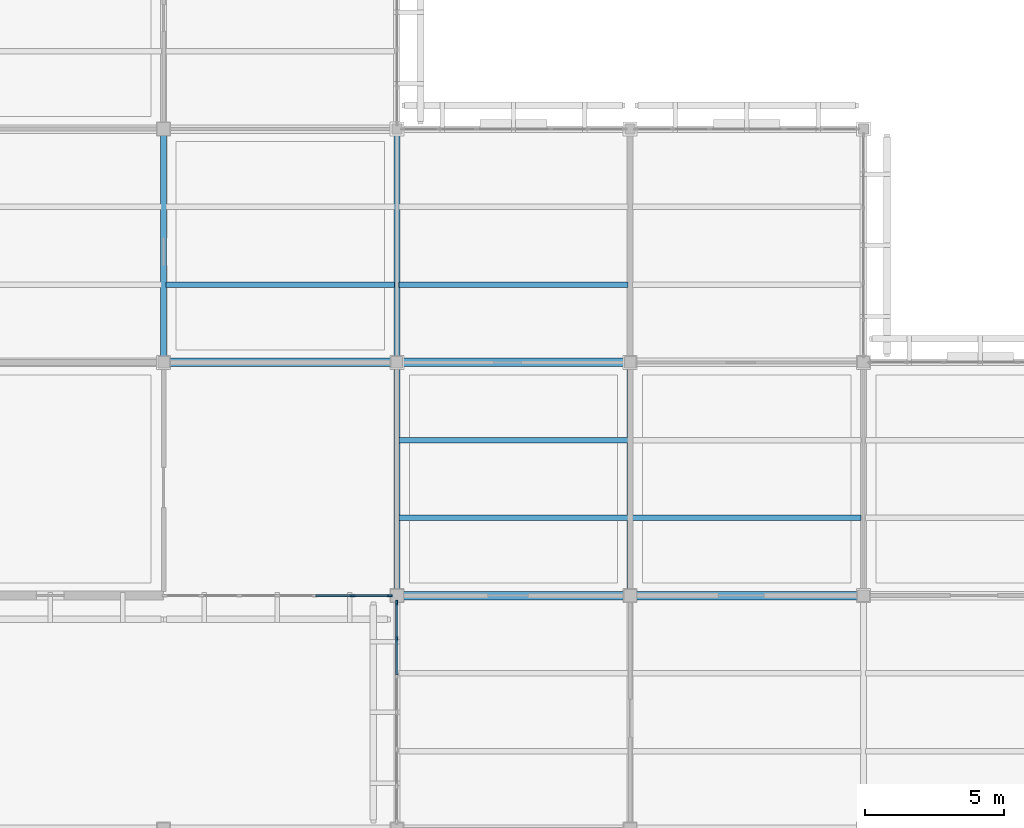
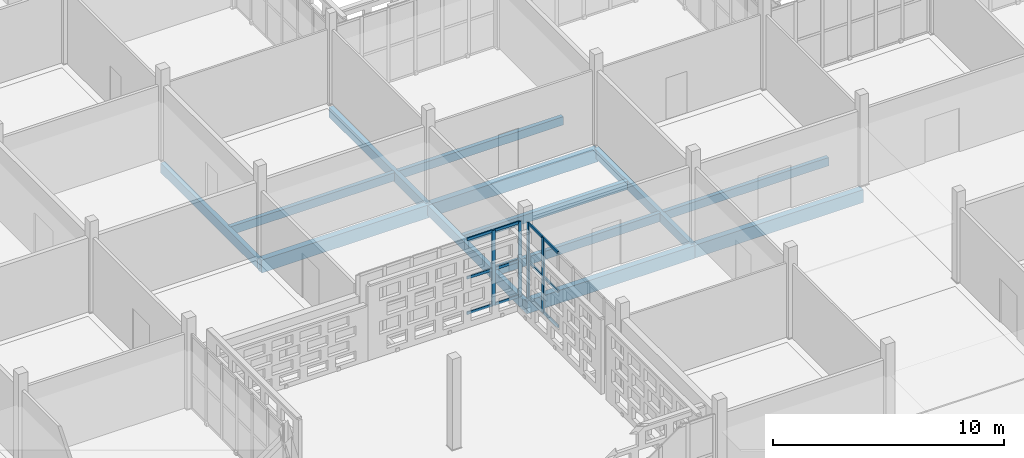
# One storey, part 26 of 203: 16 members, 13 beams, 2 elements without a shape of their own.
"""IFC4 building model written with IfcOpenShell, lengths in metres."""

from ifc_helpers import new_model, si_unit, direction, frame, origin, origin_2d, place, context, subcontext, project, spatial, rectangle, extrude, material, layer, layer_set, material_profile, profile_set, type_object, element, aggregate, save


model = new_model("IFC4")

# Units and contexts
model_context = context("Model", 3, precision=1e-05, world=origin(), true_north=direction((0.0, 1.0)))
body_context = subcontext(model_context, "Body", "Model", "MODEL_VIEW")
ifc_project = project(units=[si_unit("LENGTHUNIT", "METRE"), si_unit("AREAUNIT", "SQUARE_METRE"), si_unit("VOLUMEUNIT", "CUBIC_METRE"), si_unit("PLANEANGLEUNIT", "RADIAN"), si_unit("MASSUNIT", "GRAM", prefix="KILO")], contexts=[model_context])

# Site, building, storey
site_placement = place(None, origin())
site = spatial("IfcSite", under=ifc_project, at=site_placement, CompositionType="ELEMENT")
building_placement = place(site_placement, origin())
building = spatial("IfcBuilding", under=site, at=building_placement, Name="Varnapada Polytechnic", CompositionType="ELEMENT")
storey_placement = place(building_placement, frame((0.0, 0.0, 4.800048828125)))
storey = spatial("IfcBuildingStorey", under=building, at=storey_placement, Name="L01", CompositionType="ELEMENT", Elevation=4.800048828125)

# Beams
ifc_material_1 = material(Name="Glulam GL32h", Category="wood")
ifc_material_profile_1 = material_profile(ifc_material_1, rectangle(XDim=0.199951171875, YDim=0.43994140625, at=origin_2d()), Name="GL 200x440")
ifc_profile_set_1 = profile_set([ifc_material_profile_1], Name="Glulam GL32h")
beam_type_1 = type_object("IfcBeamType", Name="Heavy laboratory glulam joist GJ-03 (GL 200x440)", PredefinedType="JOIST", material=ifc_profile_set_1)
for number, where, z_axis, x_axis, name in (
    (1, (33.679931640625, 44.800048828125, -0.47998046875), (1.0, 0.0, 0.0), (0.0, 1.0, 0.0), "L01 floor joist 5/6.1"),
    (2, (42.080078125, 36.39990234375, -0.47998046875), (1.0, 0.0, 0.0), (0.0, 1.0, 0.0), "L01 floor joist 6/5.1"),
    (3, (42.080078125, 39.199951171875, -0.47998046875), (1.0, 0.0, 0.0), (0.0, 1.0, 0.0), "L01 floor joist 6/5.2"),
    (4, (42.080078125, 44.800048828125, -0.47998046875), (1.0, 0.0, 0.0), (0.0, 1.0, 0.0), "L01 floor joist 6/6.1"),
    (5, (50.47998046875, 36.39990234375, -0.47998046875), (1.0, 0.0, 0.0), (0.0, 1.0, 0.0), "L01 floor joist 7/5.1"),
):
    element("IfcBeam", number, at=place(storey_placement, frame(where, z_axis=z_axis, x_axis=x_axis)), inside=storey, type_object=beam_type_1, Name=name, PredefinedType="JOIST", context=body_context, shape_type="SweptSolid", body=[
        extrude(rectangle(XDim=0.199951171875, YDim=0.43994140625, at=origin_2d()), origin(), (0.0, 0.0, 1.0), 8.239990234375),
    ])
ifc_material_profile_2 = material_profile(ifc_material_1, rectangle(XDim=0.219970703125, YDim=0.52001953125, at=origin_2d()), Name="GL 220x520")
ifc_profile_set_2 = profile_set([ifc_material_profile_2], Name="Glulam GL32h")
beam_type_2 = type_object("IfcBeamType", Name="Laboratory transverse glulam beam GB-12 (GL 220x520)", PredefinedType="BEAM", material=ifc_profile_set_2)
for number, where, z_axis, x_axis, name in (
    (6, (33.60009765625, 42.0, -0.52001953125), (0.0, 1.0, 0.0), (-1.0, 0.0, 0.0), "L01 beam Y 6-7 at X5"),
    (7, (42.0, 33.60009765625, -0.530029296875), (0.0, 1.0, 0.0), (-1.0, 0.0, 0.0), "L01 beam Y 5-6 at X6"),
    (8, (42.0, 42.0, -0.52001953125), (0.0, 1.0, 0.0), (-1.0, 0.0, 0.0), "L01 beam Y 6-7 at X6"),
):
    element("IfcBeam", number, at=place(storey_placement, frame(where, z_axis=z_axis, x_axis=x_axis)), inside=storey, type_object=beam_type_2, Name=name, PredefinedType="BEAM", context=body_context, shape_type="SweptSolid", body=[
        extrude(rectangle(XDim=0.219970703125, YDim=0.52001953125, at=origin_2d()), origin(), (0.0, 0.0, 1.0), 8.39990234375),
    ])

# Curtain wall, members
ifc_material_2 = material(Name="Double low-E laminated glass", Category="glass")
ifc_layer = layer(ifc_material_2, 0.179931640625)
ifc_layer_set = layer_set([ifc_layer], Name="Double low-E laminated glass")
curtain_wall_type = type_object("IfcCurtainWallType", Name="Curtain Wall CW-03", PredefinedType="NOTDEFINED", material=ifc_layer_set)
curtain_wall_1_placement = place(storey_placement, origin())
curtain_wall_1 = element("IfcCurtainWall", 9, at=curtain_wall_1_placement, inside=storey, type_object=curtain_wall_type, Name="L01 unitised curtain wall CW-03 (36)", PredefinedType="NOTDEFINED")
ifc_material_3 = material(Name="Anodised aluminium", Category="aluminium")
ifc_material_profile_3 = material_profile(ifc_material_3, rectangle(XDim=0.06494140625, YDim=0.179931640625, at=origin_2d()), Name="ALU M65x180")
ifc_profile_set_3 = profile_set([ifc_material_profile_3], Name="Anodised aluminium")
member_type_1 = type_object("IfcMemberType", Name="Mullion M-02", PredefinedType="MULLION", material=ifc_profile_set_3)
member_1_placement = place(storey_placement, frame((41.737548828125, 33.60009765625, 0.0), z_axis=(0.0, 0.0, 1.0), x_axis=(0.0, -1.0, 0.0)))
member_1 = element("IfcMember", 10, at=member_1_placement, type_object=member_type_1, Name="CW-03 mullion 1", PredefinedType="MULLION", context=body_context, shape_type="SweptSolid", body=[
    extrude(rectangle(XDim=0.06494140625, YDim=0.179931640625, at=origin_2d()), origin(), (0.0, 0.0, 1.0), 3.9599609375),
])
member_2_placement = place(storey_placement, frame((40.408447265625, 33.60009765625, 0.0), z_axis=(0.0, 0.0, 1.0), x_axis=(0.0, -1.0, 0.0)))
member_2 = element("IfcMember", 11, at=member_2_placement, type_object=member_type_1, Name="CW-03 mullion 2", PredefinedType="MULLION", context=body_context, shape_type="SweptSolid", body=[
    extrude(rectangle(XDim=0.06494140625, YDim=0.179931640625, at=origin_2d()), origin(), (0.0, 0.0, 1.0), 3.9599609375),
])

curtain_wall_2_placement = place(storey_placement, origin())
curtain_wall_2 = element("IfcCurtainWall", 12, at=curtain_wall_2_placement, inside=storey, type_object=curtain_wall_type, Name="L01 unitised curtain wall CW-03 (44)", PredefinedType="NOTDEFINED")
member_3_placement = place(storey_placement, frame((42.0, 32.044921875, 0.0), z_axis=(0.0, 0.0, 1.0), x_axis=(-1.0, 0.0, 0.0)))
member_3 = element("IfcMember", 13, at=member_3_placement, type_object=member_type_1, Name="CW-03 mullion 6", PredefinedType="MULLION", context=body_context, shape_type="SweptSolid", body=[
    extrude(rectangle(XDim=0.06494140625, YDim=0.179931640625, at=origin_2d()), origin(), (0.0, 0.0, 1.0), 3.9599609375),
])
member_4_placement = place(storey_placement, frame((42.0, 33.33740234375, 0.0), z_axis=(0.0, 0.0, 1.0), x_axis=(-1.0, 0.0, 0.0)))
member_4 = element("IfcMember", 14, at=member_4_placement, type_object=member_type_1, Name="CW-03 mullion 7", PredefinedType="MULLION", context=body_context, shape_type="SweptSolid", body=[
    extrude(rectangle(XDim=0.06494140625, YDim=0.179931640625, at=origin_2d()), origin(), (0.0, 0.0, 1.0), 3.9599609375),
])

# Member
ifc_material_profile_4 = material_profile(ifc_material_3, rectangle(XDim=0.06494140625, YDim=0.139892578125, at=origin_2d()), Name="ALU T65x140")
ifc_profile_set_4 = profile_set([ifc_material_profile_4], Name="Anodised aluminium")
member_type_2 = type_object("IfcMemberType", Name="Transom T-02", PredefinedType="USERDEFINED", material=ifc_profile_set_4)
member_5_placement = place(storey_placement, frame((41.705078125, 33.60009765625, 0.032470703125), z_axis=(-1.0, 0.0, 0.0), x_axis=(0.0, -1.0, 0.0)))
member_5 = element("IfcMember", 15, at=member_5_placement, type_object=member_type_2, Name="CW-03 transom 1.1", ObjectType="TRANSOM", PredefinedType="USERDEFINED", context=body_context, shape_type="SweptSolid", body=[
    extrude(rectangle(XDim=0.06494140625, YDim=0.139892578125, at=origin_2d()), origin(), (0.0, 0.0, 1.0), 1.26416015625),
])

member_6_placement = place(storey_placement, frame((41.705078125, 33.60009765625, 1.900634765625), z_axis=(-1.0, 0.0, 0.0), x_axis=(0.0, -1.0, 0.0)))
member_6 = element("IfcMember", 16, at=member_6_placement, type_object=member_type_2, Name="CW-03 transom 1.2", ObjectType="TRANSOM", PredefinedType="USERDEFINED", context=body_context, shape_type="SweptSolid", body=[
    extrude(rectangle(XDim=0.06494140625, YDim=0.139892578125, at=origin_2d()), origin(), (0.0, 0.0, 1.0), 1.26416015625),
])

member_7_placement = place(storey_placement, frame((41.705078125, 33.60009765625, 3.927490234375), z_axis=(-1.0, 0.0, 0.0), x_axis=(0.0, -1.0, 0.0)))
member_7 = element("IfcMember", 17, at=member_7_placement, type_object=member_type_2, Name="CW-03 transom 1.3", ObjectType="TRANSOM", PredefinedType="USERDEFINED", context=body_context, shape_type="SweptSolid", body=[
    extrude(rectangle(XDim=0.06494140625, YDim=0.139892578125, at=origin_2d()), origin(), (0.0, 0.0, 1.0), 1.26416015625),
])

member_8_placement = place(storey_placement, frame((40.375732421875, 33.60009765625, 0.032470703125), z_axis=(-1.0, 0.0, 0.0), x_axis=(0.0, -1.0, 0.0)))
member_8 = element("IfcMember", 18, at=member_8_placement, type_object=member_type_2, Name="CW-03 transom 2.1", ObjectType="TRANSOM", PredefinedType="USERDEFINED", context=body_context, shape_type="SweptSolid", body=[
    extrude(rectangle(XDim=0.06494140625, YDim=0.139892578125, at=origin_2d()), origin(), (0.0, 0.0, 1.0), 1.296630859375),
])

member_9_placement = place(storey_placement, frame((40.375732421875, 33.60009765625, 1.900634765625), z_axis=(-1.0, 0.0, 0.0), x_axis=(0.0, -1.0, 0.0)))
member_9 = element("IfcMember", 19, at=member_9_placement, type_object=member_type_2, Name="CW-03 transom 2.2", ObjectType="TRANSOM", PredefinedType="USERDEFINED", context=body_context, shape_type="SweptSolid", body=[
    extrude(rectangle(XDim=0.06494140625, YDim=0.139892578125, at=origin_2d()), origin(), (0.0, 0.0, 1.0), 1.296630859375),
])

member_10_placement = place(storey_placement, frame((40.375732421875, 33.60009765625, 3.927490234375), z_axis=(-1.0, 0.0, 0.0), x_axis=(0.0, -1.0, 0.0)))
member_10 = element("IfcMember", 20, at=member_10_placement, type_object=member_type_2, Name="CW-03 transom 2.3", ObjectType="TRANSOM", PredefinedType="USERDEFINED", context=body_context, shape_type="SweptSolid", body=[
    extrude(rectangle(XDim=0.06494140625, YDim=0.139892578125, at=origin_2d()), origin(), (0.0, 0.0, 1.0), 1.296630859375),
])

aggregate(curtain_wall_1, [member_1, member_2, member_5, member_6, member_7, member_8, member_9, member_10])

member_11_placement = place(storey_placement, frame((42.0, 30.75244140625, 0.032470703125), z_axis=(0.0, 1.0, 0.0), x_axis=(-1.0, 0.0, 0.0)))
member_11 = element("IfcMember", 21, at=member_11_placement, type_object=member_type_2, Name="CW-03 transom 5.1", ObjectType="TRANSOM", PredefinedType="USERDEFINED", context=body_context, shape_type="SweptSolid", body=[
    extrude(rectangle(XDim=0.06494140625, YDim=0.139892578125, at=origin_2d()), origin(), (0.0, 0.0, 1.0), 1.260009765625),
])

member_12_placement = place(storey_placement, frame((42.0, 30.75244140625, 1.900634765625), z_axis=(0.0, 1.0, 0.0), x_axis=(-1.0, 0.0, 0.0)))
member_12 = element("IfcMember", 22, at=member_12_placement, type_object=member_type_2, Name="CW-03 transom 5.2", ObjectType="TRANSOM", PredefinedType="USERDEFINED", context=body_context, shape_type="SweptSolid", body=[
    extrude(rectangle(XDim=0.06494140625, YDim=0.139892578125, at=origin_2d()), origin(), (0.0, 0.0, 1.0), 1.260009765625),
])

member_13_placement = place(storey_placement, frame((42.0, 30.75244140625, 3.927490234375), z_axis=(0.0, 1.0, 0.0), x_axis=(-1.0, 0.0, 0.0)))
member_13 = element("IfcMember", 23, at=member_13_placement, type_object=member_type_2, Name="CW-03 transom 5.3", ObjectType="TRANSOM", PredefinedType="USERDEFINED", context=body_context, shape_type="SweptSolid", body=[
    extrude(rectangle(XDim=0.06494140625, YDim=0.139892578125, at=origin_2d()), origin(), (0.0, 0.0, 1.0), 1.260009765625),
])

member_14_placement = place(storey_placement, frame((42.0, 32.077392578125, 0.032470703125), z_axis=(0.0, 1.0, 0.0), x_axis=(-1.0, 0.0, 0.0)))
member_14 = element("IfcMember", 24, at=member_14_placement, type_object=member_type_2, Name="CW-03 transom 6.1", ObjectType="TRANSOM", PredefinedType="USERDEFINED", context=body_context, shape_type="SweptSolid", body=[
    extrude(rectangle(XDim=0.06494140625, YDim=0.139892578125, at=origin_2d()), origin(), (0.0, 0.0, 1.0), 1.2275390625),
])

member_15_placement = place(storey_placement, frame((42.0, 32.077392578125, 1.900634765625), z_axis=(0.0, 1.0, 0.0), x_axis=(-1.0, 0.0, 0.0)))
member_15 = element("IfcMember", 25, at=member_15_placement, type_object=member_type_2, Name="CW-03 transom 6.2", ObjectType="TRANSOM", PredefinedType="USERDEFINED", context=body_context, shape_type="SweptSolid", body=[
    extrude(rectangle(XDim=0.06494140625, YDim=0.139892578125, at=origin_2d()), origin(), (0.0, 0.0, 1.0), 1.2275390625),
])

member_16_placement = place(storey_placement, frame((42.0, 32.077392578125, 3.927490234375), z_axis=(0.0, 1.0, 0.0), x_axis=(-1.0, 0.0, 0.0)))
member_16 = element("IfcMember", 26, at=member_16_placement, type_object=member_type_2, Name="CW-03 transom 6.3", ObjectType="TRANSOM", PredefinedType="USERDEFINED", context=body_context, shape_type="SweptSolid", body=[
    extrude(rectangle(XDim=0.06494140625, YDim=0.139892578125, at=origin_2d()), origin(), (0.0, 0.0, 1.0), 1.2275390625),
])

aggregate(curtain_wall_2, [member_3, member_4, member_11, member_12, member_13, member_14, member_15, member_16])

# Beams
ifc_material_profile_5 = material_profile(ifc_material_1, rectangle(XDim=0.219970703125, YDim=0.47998046875, at=origin_2d()), Name="GL 220x480")
ifc_profile_set_5 = profile_set([ifc_material_profile_5], Name="Glulam GL32h")
beam_type_3 = type_object("IfcBeamType", Name="Upper floor glulam tie beam GB-11 (GL 220x480)", PredefinedType="BEAM", material=ifc_profile_set_5)
beam_1_placement = place(storey_placement, frame((50.39990234375, 33.60009765625, -0.5), z_axis=(0.0, 1.0, 0.0), x_axis=(-1.0, 0.0, 0.0)))
element("IfcBeam", 27, at=beam_1_placement, inside=storey, type_object=beam_type_3, Name="L01 beam Y 5-6 at X7", PredefinedType="BEAM", context=body_context, shape_type="SweptSolid", body=[
    extrude(rectangle(XDim=0.219970703125, YDim=0.47998046875, at=origin_2d()), origin(), (0.0, 0.0, 1.0), 8.39990234375),
])
ifc_material_profile_6 = material_profile(ifc_material_1, rectangle(XDim=0.300048828125, YDim=0.679931640625, at=origin_2d()), Name="GL 300x680")
ifc_profile_set_6 = profile_set([ifc_material_profile_6], Name="Glulam GL32h")
beam_type_4 = type_object("IfcBeamType", Name="Wet laboratory glulam girder GG-04 (GL 300x680)", PredefinedType="BEAM", material=ifc_profile_set_6)
for number, where, z_axis, x_axis, name in (
    (28, (33.60009765625, 42.0, -0.60009765625), (1.0, 0.0, 0.0), (0.0, 1.0, 0.0), "L01 beam X 5-6 at Y6"),
    (29, (42.0, 33.60009765625, -0.610107421875), (1.0, 0.0, 0.0), (0.0, 1.0, 0.0), "L01 beam X 6-7 at Y5"),
    (30, (42.0, 42.0, -0.60009765625), (1.0, 0.0, 0.0), (0.0, 1.0, 0.0), "L01 beam X 6-7 at Y6"),
):
    element("IfcBeam", number, at=place(storey_placement, frame(where, z_axis=z_axis, x_axis=x_axis)), inside=storey, type_object=beam_type_4, Name=name, PredefinedType="BEAM", context=body_context, shape_type="SweptSolid", body=[
        extrude(rectangle(XDim=0.300048828125, YDim=0.679931640625, at=origin_2d()), origin(), (0.0, 0.0, 1.0), 8.39990234375),
    ])
beam_2_placement = place(storey_placement, frame((50.39990234375, 33.60009765625, -0.60009765625), z_axis=(1.0, 0.0, 0.0), x_axis=(0.0, 1.0, 0.0)))
element("IfcBeam", 31, at=beam_2_placement, inside=storey, type_object=beam_type_4, Name="L01 beam X 7-8 at Y5", PredefinedType="BEAM", context=body_context, shape_type="SweptSolid", body=[
    extrude(rectangle(XDim=0.300048828125, YDim=0.679931640625, at=origin_2d()), origin(), (0.0, 0.0, 1.0), 8.400146484375),
])

save(model, "model.ifc")
